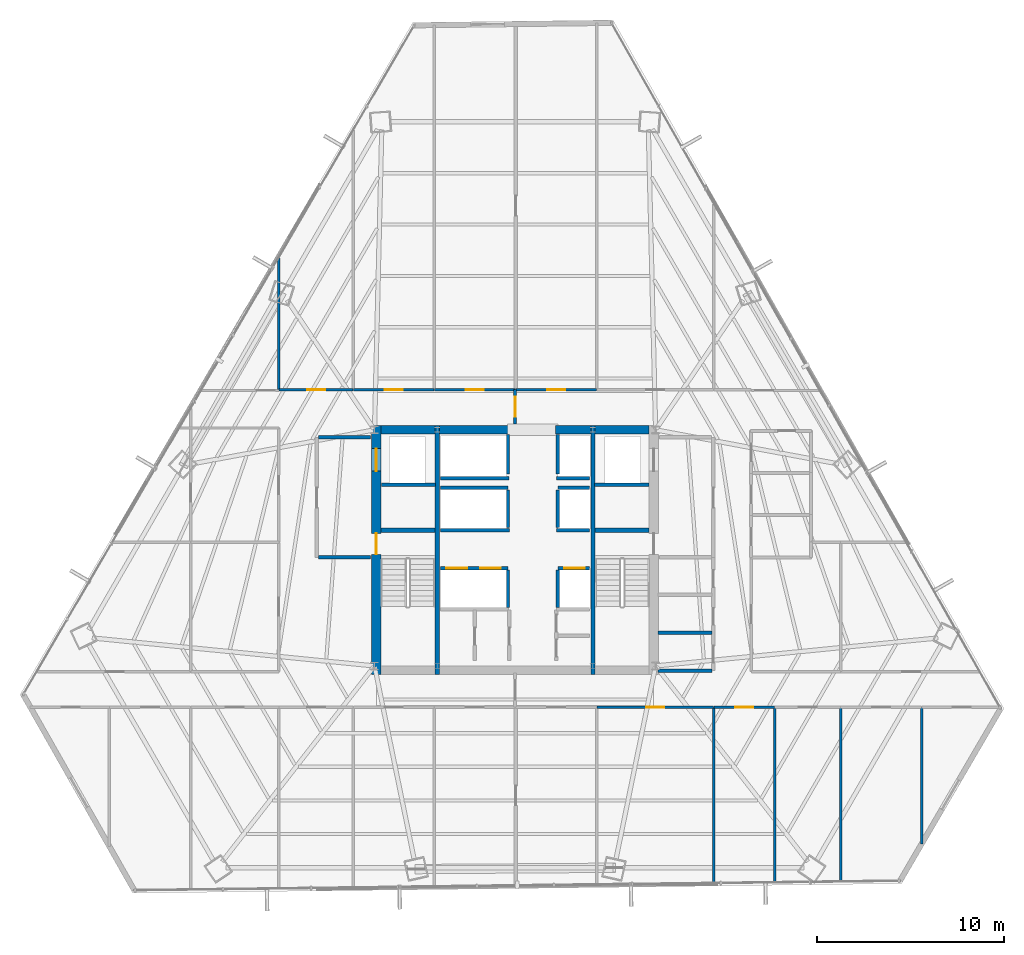
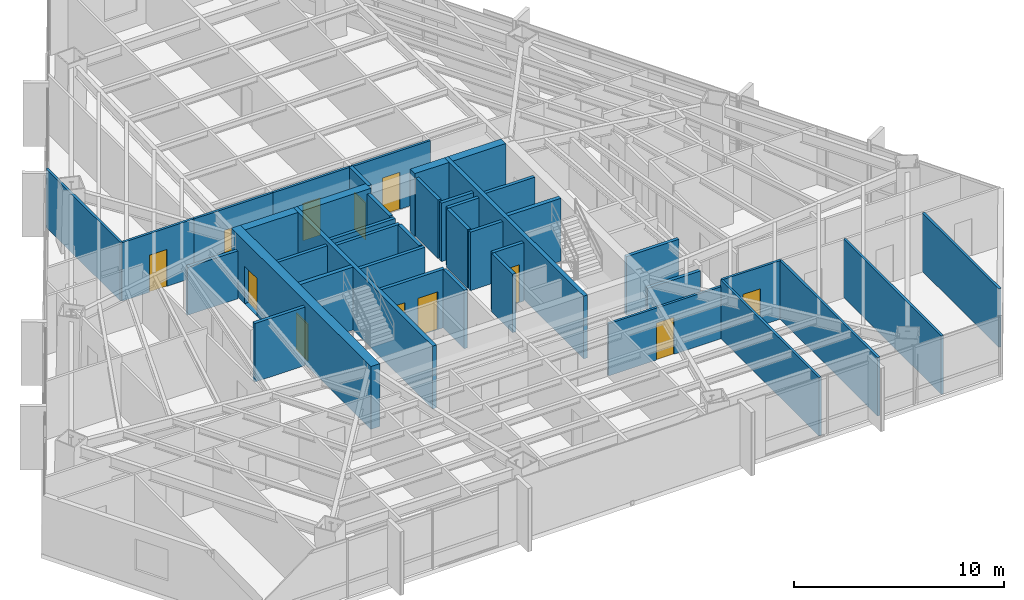
# One storey, part 32 of 37: 41 walls, 12 doors, 12 openings.
"""IFC4 building model written with IfcOpenShell, lengths in metres."""

from ifc_helpers import new_model, si_unit, direction, frame, frame_2d, origin, place, context, subcontext, project, spatial, rectangle, extrude, material, layer, layer_set, type_object, element, fill, save


model = new_model("IFC4")

# Units and contexts
model_context = context("Model", 3, precision=1e-05, world=origin(), true_north=direction((0.0, 1.0)))
body_context = subcontext(model_context, "Body", "Model", "MODEL_VIEW")
ifc_project = project(units=[si_unit("LENGTHUNIT", "METRE"), si_unit("AREAUNIT", "SQUARE_METRE"), si_unit("VOLUMEUNIT", "CUBIC_METRE"), si_unit("PLANEANGLEUNIT", "RADIAN"), si_unit("MASSUNIT", "GRAM", prefix="KILO")], contexts=[model_context])

# Site, building, storey
site_placement = place(None, origin())
site = spatial("IfcSite", under=ifc_project, at=site_placement, CompositionType="ELEMENT")
building_placement = place(site_placement, origin())
building = spatial("IfcBuilding", under=site, at=building_placement, Name="Caelisora Broadcast Tower", CompositionType="ELEMENT")
storey_placement = place(building_placement, frame((0.0, 0.0, 116.35009765625)))
storey = spatial("IfcBuildingStorey", under=building, at=storey_placement, Name="L30", CompositionType="ELEMENT", Elevation=116.35009765625)

# Wall, openings, doors
ifc_material_1 = material(Name="Concrete 50 MPa (AS 3600 S50)", Category="concrete")
ifc_layer_1 = layer(ifc_material_1, 0.5, Name="Concrete 50 MPa (AS 3600 S50)")
ifc_layer_set_1 = layer_set([ifc_layer_1], Name="Concrete 50 MPa (AS 3600 S50)")
wall_type_1 = type_object("IfcWallType", Name="CW2", PredefinedType="SHEAR", material=ifc_layer_set_1)
wall_1_placement = place(storey_placement, frame((30.590087890625, 16.949951171875, 0.0), z_axis=(0.0, 0.0, 1.0), x_axis=(0.0, 1.0, 0.0)))
wall_1 = element("IfcWall", 1, at=wall_1_placement, inside=storey, type_object=wall_type_1, Name="L30 core shear wall CW2", PredefinedType="SHEAR", context=body_context, shape_type="SweptSolid", body=[
    extrude(rectangle(XDim=13.275146484375, YDim=0.5, at=frame_2d((6.6376953125, 0.0))), origin(), (0.0, 0.0, 1.0), 3.64990234375),
])
opening_1_placement = place(wall_1_placement, frame((6.39990234375, 0.0, 0.0)))
opening_1 = element("IfcOpeningElement", 2, at=opening_1_placement, cuts=wall_1, Name="Opening FD04", PredefinedType="OPENING", context=body_context, shape_type="SweptSolid", body=[
    extrude(rectangle(XDim=1.1201171875, YDim=2.14990234375, at=frame_2d((0.56005859375, 1.074951171875))), frame((0.0, 0.261962890625, 0.0), z_axis=(0.0, -1.0, 0.0), x_axis=(1.0, 0.0, 0.0)), (0.0, 0.0, 1.0), 0.52392578125),
])
opening_2_placement = place(wall_1_placement, frame((10.85009765625, 0.0, 0.0)))
opening_2 = element("IfcOpeningElement", 3, at=opening_2_placement, cuts=wall_1, Name="Opening LD04", PredefinedType="OPENING", context=body_context, shape_type="SweptSolid", body=[
    extrude(rectangle(XDim=1.199951171875, YDim=2.199951171875, at=frame_2d((0.60009765625, 1.10009765625))), frame((0.0, 0.261962890625, 0.0), z_axis=(0.0, -1.0, 0.0), x_axis=(1.0, 0.0, 0.0)), (0.0, 0.0, 1.0), 0.52392578125),
])
ifc_material_2 = material(Name="Pressurised Fire-Isolated Stair Door", Category="steel")
door_type_1 = type_object("IfcDoorType", Name="FD04", OperationType="NOTDEFINED", PredefinedType="DOOR", material=ifc_material_2)
door_1_placement = place(opening_1_placement, origin())
door_1 = element("IfcDoor", 4, at=door_1_placement, inside=storey, type_object=door_type_1, Name="L30 door FD04 (L30-DR-ST1)", OperationType="SINGLE_SWING_LEFT", OverallHeight=2.14990234375, OverallWidth=1.1201171875, PredefinedType="DOOR", context=body_context, shape_type="SweptSolid", body=[
    extrude(rectangle(XDim=1.1201171875, YDim=2.14990234375, at=frame_2d((0.56005859375, 1.074951171875))), frame((0.0, 0.02490234375, 0.0), z_axis=(0.0, -1.0, 0.0), x_axis=(1.0, 0.0, 0.0)), (0.0, 0.0, 1.0), 0.050048828125),
])
fill(opening_1, door_1)
ifc_material_3 = material(Name="Emergency Firefighting Lift Sliding Landing Door", Category="steel")
door_type_2 = type_object("IfcDoorType", Name="LD04", OperationType="NOTDEFINED", PredefinedType="DOOR", material=ifc_material_3)
door_2_placement = place(opening_2_placement, origin())
door_2 = element("IfcDoor", 5, at=door_2_placement, inside=storey, type_object=door_type_2, Name="L30 door LD04 (L30-LD-FFL1)", OperationType="SLIDING_TO_LEFT", OverallHeight=2.199951171875, OverallWidth=1.199951171875, PredefinedType="DOOR", context=body_context, shape_type="SweptSolid", body=[
    extrude(rectangle(XDim=1.199951171875, YDim=2.199951171875, at=frame_2d((0.60009765625, 1.10009765625))), frame((0.0, 0.02490234375, 0.0), z_axis=(0.0, -1.0, 0.0), x_axis=(1.0, 0.0, 0.0)), (0.0, 0.0, 1.0), 0.050048828125),
])
fill(opening_2, door_2)

# Walls
ifc_layer_2 = layer(ifc_material_1, 0.449951171875, Name="Concrete 50 MPa (AS 3600 S50)")
ifc_layer_set_2 = layer_set([ifc_layer_2], Name="Concrete 50 MPa (AS 3600 S50)")
wall_type_2 = type_object("IfcWallType", Name="CW5", PredefinedType="SHEAR", material=ifc_layer_set_2)
wall_2_placement = place(storey_placement, frame((30.840087890625, 30.0, 0.0), z_axis=(0.0, 0.0, 1.0), x_axis=(1.0, 0.0, 0.0)))
element("IfcWall", 6, at=wall_2_placement, inside=storey, type_object=wall_type_2, Name="L30 core shear wall CW5", PredefinedType="SHEAR", context=body_context, shape_type="SweptSolid", body=[
    extrude(rectangle(XDim=2.89990234375, YDim=0.449951171875, at=frame_2d((1.449951171875, 0.0))), origin(), (0.0, 0.0, 1.0), 3.64990234375),
])
wall_3_placement = place(storey_placement, frame((33.9599609375, 30.0, 0.0), z_axis=(0.0, 0.0, 1.0), x_axis=(1.0, 0.0, 0.0)))
element("IfcWall", 7, at=wall_3_placement, inside=storey, type_object=wall_type_2, Name="L30 core shear wall CW5", PredefinedType="SHEAR", context=body_context, shape_type="SweptSolid", body=[
    extrude(rectangle(XDim=3.780029296875, YDim=0.449951171875, at=frame_2d((1.89013671875, 0.0))), origin(), (0.0, 0.0, 1.0), 3.64990234375),
])
wall_4_placement = place(storey_placement, frame((40.159912109375, 30.0, 0.0), z_axis=(0.0, 0.0, 1.0), x_axis=(1.0, 0.0, 0.0)))
element("IfcWall", 8, at=wall_4_placement, inside=storey, type_object=wall_type_2, Name="L30 core shear wall CW5", PredefinedType="SHEAR", context=body_context, shape_type="SweptSolid", body=[
    extrude(rectangle(XDim=1.880126953125, YDim=0.449951171875, at=frame_2d((0.93994140625, 0.0))), origin(), (0.0, 0.0, 1.0), 3.64990234375),
])
wall_5_placement = place(storey_placement, frame((42.260009765625, 30.0, 0.0), z_axis=(0.0, 0.0, 1.0), x_axis=(1.0, 0.0, 0.0)))
element("IfcWall", 9, at=wall_5_placement, inside=storey, type_object=wall_type_2, Name="L30 core shear wall CW5", PredefinedType="SHEAR", context=body_context, shape_type="SweptSolid", body=[
    extrude(rectangle(XDim=2.89990234375, YDim=0.449951171875, at=frame_2d((1.449951171875, 0.0))), origin(), (0.0, 0.0, 1.0), 3.64990234375),
])
ifc_layer_3 = layer(ifc_material_1, 0.219970703125, Name="Concrete 50 MPa (AS 3600 S50)")
ifc_layer_set_3 = layer_set([ifc_layer_3], Name="Concrete 50 MPa (AS 3600 S50)")
wall_type_3 = type_object("IfcWallType", Name="CW7", PredefinedType="SHEAR", material=ifc_layer_set_3)
for number, where, z_axis, x_axis, name in (
    (10, (33.85009765625, 16.949951171875, 0.0), (0.0, 0.0, 1.0), (0.0, 1.0, 0.0), "L30 core shear wall CW7"),
    (11, (42.14990234375, 16.949951171875, 0.0), (0.0, 0.0, 1.0), (0.0, 1.0, 0.0), "L30 core shear wall CW7"),
):
    element("IfcWall", number, at=place(storey_placement, frame(where, z_axis=z_axis, x_axis=x_axis)), inside=storey, type_object=wall_type_3, Name=name, PredefinedType="SHEAR", context=body_context, shape_type="SweptSolid", body=[
        extrude(rectangle(XDim=13.275146484375, YDim=0.219970703125, at=frame_2d((6.6376953125, 0.0))), origin(), (0.0, 0.0, 1.0), 3.64990234375),
    ])
for number, where, z_axis, x_axis, name in (
    (12, (30.840087890625, 24.639892578125, 0.0), (0.0, 0.0, 1.0), (1.0, 0.0, 0.0), "L30 core shear wall CW7"),
    (13, (42.260009765625, 24.639892578125, 0.0), (0.0, 0.0, 1.0), (1.0, 0.0, 0.0), "L30 core shear wall CW7"),
):
    element("IfcWall", number, at=place(storey_placement, frame(where, z_axis=z_axis, x_axis=x_axis)), inside=storey, type_object=wall_type_3, Name=name, PredefinedType="SHEAR", context=body_context, shape_type="SweptSolid", body=[
        extrude(rectangle(XDim=2.89990234375, YDim=0.219970703125, at=frame_2d((1.449951171875, 0.0))), origin(), (0.0, 0.0, 1.0), 3.64990234375),
    ])

# Wall, openings, doors
ifc_material_4 = material(Name="Fire-Rated Gypsum Shaft and Compartment Wall", Category="gypsum")
ifc_layer_4 = layer(ifc_material_4, 0.179931640625, Name="Fire-Rated Gypsum Shaft and Compartment Wall")
ifc_layer_set_4 = layer_set([ifc_layer_4], Name="Fire-Rated Gypsum Shaft and Compartment Wall")
wall_type_4 = type_object("IfcWallType", Name="PW2", PredefinedType="PARTITIONING", material=ifc_layer_set_4)
wall_6_placement = place(storey_placement, frame((34.02001953125, 22.6201171875, 0.0), z_axis=(0.0, 0.0, 1.0), x_axis=(1.0, 0.0, 0.0)))
wall_6 = element("IfcWall", 14, at=wall_6_placement, inside=storey, type_object=wall_type_4, Name="L30 fire compartment wall PW2", PredefinedType="PARTITIONING", context=body_context, shape_type="SweptSolid", body=[
    extrude(rectangle(XDim=3.60009765625, YDim=0.179931640625, at=frame_2d((1.800048828125, 0.0))), origin(), (0.0, 0.0, 1.0), 3.39990234375),
])
opening_3_placement = place(wall_6_placement, frame((0.320068359375, 0.0, 0.0)))
opening_3 = element("IfcOpeningElement", 15, at=opening_3_placement, cuts=wall_6, Name="Opening LD01", PredefinedType="OPENING", context=body_context, shape_type="SweptSolid", body=[
    extrude(rectangle(XDim=1.10009765625, YDim=2.199951171875, at=frame_2d((0.550048828125, 1.10009765625))), frame((0.0, 0.10205078125, 0.0), z_axis=(0.0, -1.0, 0.0), x_axis=(1.0, 0.0, 0.0)), (0.0, 0.0, 1.0), 0.203857421875),
])
opening_4_placement = place(wall_6_placement, frame((2.1201171875, 0.0, 0.0)))
opening_4 = element("IfcOpeningElement", 16, at=opening_4_placement, cuts=wall_6, Name="Opening LD01", PredefinedType="OPENING", context=body_context, shape_type="SweptSolid", body=[
    extrude(rectangle(XDim=1.10009765625, YDim=2.199951171875, at=frame_2d((0.550048828125, 1.10009765625))), frame((0.0, 0.10205078125, 0.0), z_axis=(0.0, -1.0, 0.0), x_axis=(1.0, 0.0, 0.0)), (0.0, 0.0, 1.0), 0.203857421875),
])
ifc_material_5 = material(Name="Stainless Steel Centre-Parting Lift Landing Door", Category="steel")
door_type_3 = type_object("IfcDoorType", Name="LD01", OperationType="NOTDEFINED", PredefinedType="DOOR", material=ifc_material_5)
door_3_placement = place(opening_3_placement, origin())
door_3 = element("IfcDoor", 17, at=door_3_placement, inside=storey, type_object=door_type_3, Name="L30 door LD01 (L30-LD-PLL1)", OperationType="SLIDING_TO_LEFT", OverallHeight=2.199951171875, OverallWidth=1.10009765625, PredefinedType="DOOR", context=body_context, shape_type="SweptSolid", body=[
    extrude(rectangle(XDim=1.10009765625, YDim=2.199951171875, at=frame_2d((0.550048828125, 1.10009765625))), frame((0.0, 0.02490234375, 0.0), z_axis=(0.0, -1.0, 0.0), x_axis=(1.0, 0.0, 0.0)), (0.0, 0.0, 1.0), 0.050048828125),
])
fill(opening_3, door_3)
door_4_placement = place(opening_4_placement, origin())
door_4 = element("IfcDoor", 18, at=door_4_placement, inside=storey, type_object=door_type_3, Name="L30 door LD01 (L30-LD-PLL2)", OperationType="SLIDING_TO_RIGHT", OverallHeight=2.199951171875, OverallWidth=1.10009765625, PredefinedType="DOOR", context=body_context, shape_type="SweptSolid", body=[
    extrude(rectangle(XDim=1.10009765625, YDim=2.199951171875, at=frame_2d((0.550048828125, 1.10009765625))), frame((0.0, 0.02490234375, 0.0), z_axis=(0.0, -1.0, 0.0), x_axis=(1.0, 0.0, 0.0)), (0.0, 0.0, 1.0), 0.050048828125),
])
fill(opening_4, door_4)

# Wall, opening, door
wall_7_placement = place(storey_placement, frame((40.280029296875, 22.6201171875, 0.0), z_axis=(0.0, 0.0, 1.0), x_axis=(1.0, 0.0, 0.0)))
wall_7 = element("IfcWall", 19, at=wall_7_placement, inside=storey, type_object=wall_type_4, Name="L30 fire compartment wall PW2", PredefinedType="PARTITIONING", context=body_context, shape_type="SweptSolid", body=[
    extrude(rectangle(XDim=1.699951171875, YDim=0.179931640625, at=frame_2d((0.85009765625, 0.0))), origin(), (0.0, 0.0, 1.0), 3.39990234375),
])
opening_5_placement = place(wall_7_placement, frame((0.35009765625, 0.0, 0.0)))
opening_5 = element("IfcOpeningElement", 20, at=opening_5_placement, cuts=wall_7, Name="Opening LD01", PredefinedType="OPENING", context=body_context, shape_type="SweptSolid", body=[
    extrude(rectangle(XDim=1.10009765625, YDim=2.199951171875, at=frame_2d((0.550048828125, 1.10009765625))), frame((0.0, 0.10205078125, 0.0), z_axis=(0.0, -1.0, 0.0), x_axis=(1.0, 0.0, 0.0)), (0.0, 0.0, 1.0), 0.203857421875),
])
door_5_placement = place(opening_5_placement, origin())
door_5 = element("IfcDoor", 21, at=door_5_placement, inside=storey, type_object=door_type_3, Name="L30 door LD01 (L30-LD-PLL3)", OperationType="SLIDING_TO_LEFT", OverallHeight=2.199951171875, OverallWidth=1.10009765625, PredefinedType="DOOR", context=body_context, shape_type="SweptSolid", body=[
    extrude(rectangle(XDim=1.10009765625, YDim=2.199951171875, at=frame_2d((0.550048828125, 1.10009765625))), frame((0.0, 0.02490234375, 0.0), z_axis=(0.0, -1.0, 0.0), x_axis=(1.0, 0.0, 0.0)), (0.0, 0.0, 1.0), 0.050048828125),
])
fill(opening_5, door_5)

# Walls
for number, where, z_axis, x_axis, name in (
    (22, (37.6201171875, 20.52001953125, 0.0), (0.0, 0.0, 1.0), (0.0, 1.0, 0.0), "L30 fire compartment wall PW2"),
    (23, (40.280029296875, 20.52001953125, 0.0), (0.0, 0.0, 1.0), (0.0, 1.0, 0.0), "L30 fire compartment wall PW2"),
):
    element("IfcWall", number, at=place(storey_placement, frame(where, z_axis=z_axis, x_axis=x_axis)), inside=storey, type_object=wall_type_4, Name=name, PredefinedType="PARTITIONING", context=body_context, shape_type="SweptSolid", body=[
        extrude(rectangle(XDim=2.0, YDim=0.179931640625, at=frame_2d((1.0, 0.0))), origin(), (0.0, 0.0, 1.0), 3.39990234375),
    ])
wall_8_placement = place(storey_placement, frame((34.02001953125, 26.89990234375, 0.0), z_axis=(0.0, 0.0, 1.0), x_axis=(1.0, 0.0, 0.0)))
element("IfcWall", 24, at=wall_8_placement, inside=storey, type_object=wall_type_4, Name="L30 fire compartment wall PW2", PredefinedType="PARTITIONING", context=body_context, shape_type="SweptSolid", body=[
    extrude(rectangle(XDim=3.60009765625, YDim=0.179931640625, at=frame_2d((1.800048828125, 0.0))), origin(), (0.0, 0.0, 1.0), 3.39990234375),
])
wall_9_placement = place(storey_placement, frame((40.280029296875, 26.89990234375, 0.0), z_axis=(0.0, 0.0, 1.0), x_axis=(1.0, 0.0, 0.0)))
element("IfcWall", 25, at=wall_9_placement, inside=storey, type_object=wall_type_4, Name="L30 fire compartment wall PW2", PredefinedType="PARTITIONING", context=body_context, shape_type="SweptSolid", body=[
    extrude(rectangle(XDim=1.699951171875, YDim=0.179931640625, at=frame_2d((0.85009765625, 0.0))), origin(), (0.0, 0.0, 1.0), 3.39990234375),
])
for number, where, z_axis, x_axis, name in (
    (26, (37.6201171875, 24.800048828125, 0.0), (0.0, 0.0, 1.0), (0.0, 1.0, 0.0), "L30 fire compartment wall PW2"),
    (27, (40.280029296875, 24.800048828125, 0.0), (0.0, 0.0, 1.0), (0.0, 1.0, 0.0), "L30 fire compartment wall PW2"),
):
    element("IfcWall", number, at=place(storey_placement, frame(where, z_axis=z_axis, x_axis=x_axis)), inside=storey, type_object=wall_type_4, Name=name, PredefinedType="PARTITIONING", context=body_context, shape_type="SweptSolid", body=[
        extrude(rectangle(XDim=2.0, YDim=0.179931640625, at=frame_2d((1.0, 0.0))), origin(), (0.0, 0.0, 1.0), 3.39990234375),
    ])
wall_10_placement = place(storey_placement, frame((34.02001953125, 24.639892578125, 0.0), z_axis=(0.0, 0.0, 1.0), x_axis=(1.0, 0.0, 0.0)))
element("IfcWall", 28, at=wall_10_placement, inside=storey, type_object=wall_type_4, Name="L30 fire compartment wall PW2", PredefinedType="PARTITIONING", context=body_context, shape_type="SweptSolid", body=[
    extrude(rectangle(XDim=3.679931640625, YDim=0.179931640625, at=frame_2d((1.83984375, 0.0))), origin(), (0.0, 0.0, 1.0), 3.39990234375),
])
wall_11_placement = place(storey_placement, frame((40.199951171875, 24.639892578125, 0.0), z_axis=(0.0, 0.0, 1.0), x_axis=(1.0, 0.0, 0.0)))
element("IfcWall", 29, at=wall_11_placement, inside=storey, type_object=wall_type_4, Name="L30 fire compartment wall PW2", PredefinedType="PARTITIONING", context=body_context, shape_type="SweptSolid", body=[
    extrude(rectangle(XDim=1.780029296875, YDim=0.179931640625, at=frame_2d((0.89013671875, 0.0))), origin(), (0.0, 0.0, 1.0), 3.39990234375),
])
wall_12_placement = place(storey_placement, frame((34.02001953125, 27.419921875, 0.0), z_axis=(0.0, 0.0, 1.0), x_axis=(1.0, 0.0, 0.0)))
element("IfcWall", 30, at=wall_12_placement, inside=storey, type_object=wall_type_4, Name="L30 fire compartment wall PW2", PredefinedType="PARTITIONING", context=body_context, shape_type="SweptSolid", body=[
    extrude(rectangle(XDim=3.659912109375, YDim=0.179931640625, at=frame_2d((1.830078125, 0.0))), origin(), (0.0, 0.0, 1.0), 3.39990234375),
])
wall_13_placement = place(storey_placement, frame((40.219970703125, 27.419921875, 0.0), z_axis=(0.0, 0.0, 1.0), x_axis=(1.0, 0.0, 0.0)))
element("IfcWall", 31, at=wall_13_placement, inside=storey, type_object=wall_type_4, Name="L30 fire compartment wall PW2", PredefinedType="PARTITIONING", context=body_context, shape_type="SweptSolid", body=[
    extrude(rectangle(XDim=1.760009765625, YDim=0.179931640625, at=frame_2d((0.8798828125, 0.0))), origin(), (0.0, 0.0, 1.0), 3.39990234375),
])
for number, where, z_axis, x_axis, name in (
    (32, (37.6201171875, 27.639892578125, 0.0), (0.0, 0.0, 1.0), (0.0, 1.0, 0.0), "L30 fire compartment wall PW2"),
    (33, (40.280029296875, 27.639892578125, 0.0), (0.0, 0.0, 1.0), (0.0, 1.0, 0.0), "L30 fire compartment wall PW2"),
):
    element("IfcWall", number, at=place(storey_placement, frame(where, z_axis=z_axis, x_axis=x_axis)), inside=storey, type_object=wall_type_4, Name=name, PredefinedType="PARTITIONING", context=body_context, shape_type="SweptSolid", body=[
        extrude(rectangle(XDim=2.110107421875, YDim=0.179931640625, at=frame_2d((1.05517578125, 0.0))), origin(), (0.0, 0.0, 1.0), 3.39990234375),
    ])
wall_14_placement = place(storey_placement, frame((27.52001953125, 23.199951171875, 0.0), z_axis=(0.0, 0.0, 1.0), x_axis=(1.0, 0.0, 0.0)))
element("IfcWall", 34, at=wall_14_placement, inside=storey, type_object=wall_type_4, Name="L30 fire compartment wall PW2", PredefinedType="PARTITIONING", context=body_context, shape_type="SweptSolid", body=[
    extrude(rectangle(XDim=2.760009765625, YDim=0.179931640625, at=frame_2d((1.3798828125, 0.0))), origin(), (0.0, 0.0, 1.0), 3.39990234375),
])
wall_15_placement = place(storey_placement, frame((27.52001953125, 29.60009765625, 0.0), z_axis=(0.0, 0.0, 1.0), x_axis=(1.0, 0.0, 0.0)))
element("IfcWall", 35, at=wall_15_placement, inside=storey, type_object=wall_type_4, Name="L30 fire compartment wall PW2", PredefinedType="PARTITIONING", context=body_context, shape_type="SweptSolid", body=[
    extrude(rectangle(XDim=2.760009765625, YDim=0.179931640625, at=frame_2d((1.3798828125, 0.0))), origin(), (0.0, 0.0, 1.0), 2.78271484375),
])
for number, where, z_axis, x_axis, name in (
    (36, (30.860107421875, 27.070068359375, 0.0), (0.0, 0.0, 1.0), (1.0, 0.0, 0.0), "L30 fire compartment wall PW2"),
    (37, (42.239990234375, 27.070068359375, 0.0), (0.0, 0.0, 1.0), (1.0, 0.0, 0.0), "L30 fire compartment wall PW2"),
    (38, (45.6201171875, 19.169921875, 0.0), (0.0, 0.0, 1.0), (1.0, 0.0, 0.0), "L30 fire compartment wall PW2"),
):
    element("IfcWall", number, at=place(storey_placement, frame(where, z_axis=z_axis, x_axis=x_axis)), inside=storey, type_object=wall_type_4, Name=name, PredefinedType="PARTITIONING", context=body_context, shape_type="SweptSolid", body=[
        extrude(rectangle(XDim=2.89990234375, YDim=0.179931640625, at=frame_2d((1.449951171875, 0.0))), origin(), (0.0, 0.0, 1.0), 3.39990234375),
    ])
wall_16_placement = place(storey_placement, frame((45.6201171875, 17.14990234375, 0.0), z_axis=(0.0, 0.0, 1.0), x_axis=(1.0, 0.0, 0.0)))
element("IfcWall", 39, at=wall_16_placement, inside=storey, type_object=wall_type_4, Name="L30 fire compartment wall PW2", PredefinedType="PARTITIONING", context=body_context, shape_type="SweptSolid", body=[
    extrude(rectangle(XDim=2.89990234375, YDim=0.179931640625, at=frame_2d((1.449951171875, 0.0))), origin(), (0.0, 0.0, 1.0), 2.78271484375),
])

# Wall, opening, door
wall_17_placement = place(storey_placement, frame((38.0, 30.320068359375, 0.0), z_axis=(0.0, 0.0, 1.0), x_axis=(0.0, 1.0, 0.0)))
wall_17 = element("IfcWall", 40, at=wall_17_placement, inside=storey, type_object=wall_type_4, Name="L30 fire compartment wall PW2", PredefinedType="PARTITIONING", context=body_context, shape_type="SweptSolid", body=[
    extrude(rectangle(XDim=1.824951171875, YDim=0.179931640625, at=frame_2d((0.91259765625, 0.0))), origin(), (0.0, 0.0, 1.0), 3.39990234375),
])
opening_6_placement = place(wall_17_placement, frame((0.387939453125, 0.0, 0.0)))
opening_6 = element("IfcOpeningElement", 41, at=opening_6_placement, cuts=wall_17, Name="Opening FD02", PredefinedType="OPENING", context=body_context, shape_type="SweptSolid", body=[
    extrude(rectangle(XDim=1.050048828125, YDim=2.14990234375, at=frame_2d((0.52490234375, 1.074951171875))), frame((0.0, 0.10205078125, 0.0), z_axis=(0.0, -1.0, 0.0), x_axis=(1.0, 0.0, 0.0)), (0.0, 0.0, 1.0), 0.203857421875),
])
ifc_material_6 = material(Name="Single-Leaf Steel Fire Lobby Door", Category="steel")
door_type_4 = type_object("IfcDoorType", Name="FD02", OperationType="NOTDEFINED", PredefinedType="DOOR", material=ifc_material_6)
door_6_placement = place(opening_6_placement, origin())
door_6 = element("IfcDoor", 42, at=door_6_placement, inside=storey, type_object=door_type_4, Name="L30 door FD02 (L30-DR-P84D1)", OperationType="SINGLE_SWING_RIGHT", OverallHeight=2.14990234375, OverallWidth=1.050048828125, PredefinedType="DOOR", context=body_context, shape_type="SweptSolid", body=[
    extrude(rectangle(XDim=1.050048828125, YDim=2.14990234375, at=frame_2d((0.52490234375, 1.074951171875))), frame((0.0, 0.02490234375, 0.0), z_axis=(0.0, -1.0, 0.0), x_axis=(1.0, 0.0, 0.0)), (0.0, 0.0, 1.0), 0.050048828125),
])
fill(opening_6, door_6)

# Walls
ifc_material_7 = material(Name="Acoustic Steel-Stud Plasterboard Partition", Category="gypsum")
ifc_layer_5 = layer(ifc_material_7, 0.1298828125, Name="Acoustic Steel-Stud Plasterboard Partition")
ifc_layer_set_5 = layer_set([ifc_layer_5], Name="Acoustic Steel-Stud Plasterboard Partition")
wall_type_5 = type_object("IfcWallType", Name="PW3", PredefinedType="PARTITIONING", material=ifc_layer_set_5)
wall_18_placement = place(storey_placement, frame((48.60009765625, 5.802734375, 0.0), z_axis=(0.0, 0.0, 1.0), x_axis=(0.0, 1.0, 0.0)))
element("IfcWall", 43, at=wall_18_placement, inside=storey, type_object=wall_type_5, Name="L30 internal partition PW3", PredefinedType="PARTITIONING", context=body_context, shape_type="SweptSolid", body=[
    extrude(rectangle(XDim=9.392333984375, YDim=0.1298828125, at=frame_2d((4.6962890625, 0.0))), origin(), (0.0, 0.0, 1.0), 3.39990234375),
])
wall_19_placement = place(storey_placement, frame((51.85009765625, 5.843017578125, 0.0), z_axis=(0.0, 0.0, 1.0), x_axis=(0.0, 1.0, 0.0)))
element("IfcWall", 44, at=wall_19_placement, inside=storey, type_object=wall_type_5, Name="L30 internal partition PW3", PredefinedType="PARTITIONING", context=body_context, shape_type="SweptSolid", body=[
    extrude(rectangle(XDim=9.35205078125, YDim=0.1298828125, at=frame_2d((4.676025390625, 0.0))), origin(), (0.0, 0.0, 1.0), 3.39990234375),
])
wall_20_placement = place(storey_placement, frame((55.3701171875, 5.88671875, 0.0), z_axis=(0.0, 0.0, 1.0), x_axis=(0.0, 1.0, 0.0)))
element("IfcWall", 45, at=wall_20_placement, inside=storey, type_object=wall_type_5, Name="L30 internal partition PW3", PredefinedType="PARTITIONING", context=body_context, shape_type="SweptSolid", body=[
    extrude(rectangle(XDim=9.308349609375, YDim=0.1298828125, at=frame_2d((4.654296875, 0.0))), origin(), (0.0, 0.0, 1.0), 3.39990234375),
])
wall_21_placement = place(storey_placement, frame((59.699951171875, 7.89599609375, 0.0), z_axis=(0.0, 0.0, 1.0), x_axis=(0.0, 1.0, 0.0)))
element("IfcWall", 46, at=wall_21_placement, inside=storey, type_object=wall_type_5, Name="L30 internal partition PW3", PredefinedType="PARTITIONING", context=body_context, shape_type="SweptSolid", body=[
    extrude(rectangle(XDim=7.299072265625, YDim=0.1298828125, at=frame_2d((3.6494140625, 0.0))), origin(), (0.0, 0.0, 1.0), 3.39990234375),
])
wall_22_placement = place(storey_placement, frame((25.39990234375, 32.155029296875, 0.0), z_axis=(0.0, 0.0, 1.0), x_axis=(0.0, 1.0, 0.0)))
element("IfcWall", 47, at=wall_22_placement, inside=storey, type_object=wall_type_5, Name="L30 internal partition PW3", PredefinedType="PARTITIONING", context=body_context, shape_type="SweptSolid", body=[
    extrude(rectangle(XDim=7.07861328125, YDim=0.1298828125, at=frame_2d((3.539306640625, 0.0))), origin(), (0.0, 0.0, 1.0), 3.39990234375),
])

# Wall, opening, door
wall_23_placement = place(storey_placement, frame((42.364990234375, 15.199951171875, 0.0), z_axis=(0.0, 0.0, 1.0), x_axis=(1.0, 0.0, 0.0)))
wall_23 = element("IfcWall", 48, at=wall_23_placement, inside=storey, type_object=wall_type_5, Name="L30 internal partition PW3", PredefinedType="PARTITIONING", context=body_context, shape_type="SweptSolid", body=[
    extrude(rectangle(XDim=6.22998046875, YDim=0.1298828125, at=frame_2d((3.114990234375, 0.0))), origin(), (0.0, 0.0, 1.0), 3.0263671875),
])
opening_7_placement = place(wall_23_placement, frame((2.635009765625, 0.0, 0.0)))
opening_7 = element("IfcOpeningElement", 49, at=opening_7_placement, cuts=wall_23, Name="Opening D01", PredefinedType="OPENING", context=body_context, shape_type="SweptSolid", body=[
    extrude(rectangle(XDim=0.9599609375, YDim=2.14990234375, at=frame_2d((0.47998046875, 1.074951171875))), frame((0.0, 0.076904296875, 0.0), z_axis=(0.0, -1.0, 0.0), x_axis=(1.0, 0.0, 0.0)), (0.0, 0.0, 1.0), 0.15380859375),
])
ifc_material_8 = material(Name="Solid-Core Timber Acoustic Office Door", Category="wood")
door_type_5 = type_object("IfcDoorType", Name="D01", OperationType="NOTDEFINED", PredefinedType="DOOR", material=ifc_material_8)
door_7_placement = place(opening_7_placement, origin())
door_7 = element("IfcDoor", 50, at=door_7_placement, inside=storey, type_object=door_type_5, Name="L30 door D01 (L30-DR-P54D1)", OperationType="SINGLE_SWING_RIGHT", OverallHeight=2.14990234375, OverallWidth=0.9599609375, PredefinedType="DOOR", context=body_context, shape_type="SweptSolid", body=[
    extrude(rectangle(XDim=0.9599609375, YDim=2.14990234375, at=frame_2d((0.47998046875, 1.074951171875))), frame((0.0, 0.02490234375, 0.0), z_axis=(0.0, -1.0, 0.0), x_axis=(1.0, 0.0, 0.0)), (0.0, 0.0, 1.0), 0.050048828125),
])
fill(opening_7, door_7)

wall_24_placement = place(storey_placement, frame((29.364990234375, 32.14990234375, 0.0), z_axis=(0.0, 0.0, 1.0), x_axis=(1.0, 0.0, 0.0)))
wall_24 = element("IfcWall", 51, at=wall_24_placement, inside=storey, type_object=wall_type_5, Name="L30 internal partition PW3", PredefinedType="PARTITIONING", context=body_context, shape_type="SweptSolid", body=[
    extrude(rectangle(XDim=4.320068359375, YDim=0.1298828125, at=frame_2d((2.16015625, 0.0))), origin(), (0.0, 0.0, 1.0), 3.39990234375),
])
opening_8_placement = place(wall_24_placement, frame((1.679931640625, 0.0, 0.0)))
opening_8 = element("IfcOpeningElement", 52, at=opening_8_placement, cuts=wall_24, Name="Opening D01", PredefinedType="OPENING", context=body_context, shape_type="SweptSolid", body=[
    extrude(rectangle(XDim=0.9599609375, YDim=2.14990234375, at=frame_2d((0.47998046875, 1.074951171875))), frame((0.0, 0.076904296875, 0.0), z_axis=(0.0, -1.0, 0.0), x_axis=(1.0, 0.0, 0.0)), (0.0, 0.0, 1.0), 0.15380859375),
])
door_8_placement = place(opening_8_placement, origin())
door_8 = element("IfcDoor", 53, at=door_8_placement, inside=storey, type_object=door_type_5, Name="L30 door D01 (L30-DR-P66D1)", OperationType="SINGLE_SWING_RIGHT", OverallHeight=2.14990234375, OverallWidth=0.9599609375, PredefinedType="DOOR", context=body_context, shape_type="SweptSolid", body=[
    extrude(rectangle(XDim=0.9599609375, YDim=2.14990234375, at=frame_2d((0.47998046875, 1.074951171875))), frame((0.0, 0.02490234375, 0.0), z_axis=(0.0, -1.0, 0.0), x_axis=(1.0, 0.0, 0.0)), (0.0, 0.0, 1.0), 0.050048828125),
])
fill(opening_8, door_8)

wall_25_placement = place(storey_placement, frame((38.034912109375, 32.14990234375, 0.0), z_axis=(0.0, 0.0, 1.0), x_axis=(1.0, 0.0, 0.0)))
wall_25 = element("IfcWall", 54, at=wall_25_placement, inside=storey, type_object=wall_type_5, Name="L30 internal partition PW3", PredefinedType="PARTITIONING", context=body_context, shape_type="SweptSolid", body=[
    extrude(rectangle(XDim=4.320068359375, YDim=0.1298828125, at=frame_2d((2.16015625, 0.0))), origin(), (0.0, 0.0, 1.0), 3.39990234375),
])
opening_9_placement = place(wall_25_placement, frame((1.679931640625, 0.0, 0.0)))
opening_9 = element("IfcOpeningElement", 55, at=opening_9_placement, cuts=wall_25, Name="Opening D01", PredefinedType="OPENING", context=body_context, shape_type="SweptSolid", body=[
    extrude(rectangle(XDim=0.9599609375, YDim=2.14990234375, at=frame_2d((0.47998046875, 1.074951171875))), frame((0.0, 0.076904296875, 0.0), z_axis=(0.0, -1.0, 0.0), x_axis=(1.0, 0.0, 0.0)), (0.0, 0.0, 1.0), 0.15380859375),
])
door_9_placement = place(opening_9_placement, origin())
door_9 = element("IfcDoor", 56, at=door_9_placement, inside=storey, type_object=door_type_5, Name="L30 door D01 (L30-DR-P68D1)", OperationType="SINGLE_SWING_RIGHT", OverallHeight=2.14990234375, OverallWidth=0.9599609375, PredefinedType="DOOR", context=body_context, shape_type="SweptSolid", body=[
    extrude(rectangle(XDim=0.9599609375, YDim=2.14990234375, at=frame_2d((0.47998046875, 1.074951171875))), frame((0.0, 0.02490234375, 0.0), z_axis=(0.0, -1.0, 0.0), x_axis=(1.0, 0.0, 0.0)), (0.0, 0.0, 1.0), 0.050048828125),
])
fill(opening_9, door_9)

wall_26_placement = place(storey_placement, frame((33.695068359375, 32.14990234375, 0.0), z_axis=(0.0, 0.0, 1.0), x_axis=(1.0, 0.0, 0.0)))
wall_26 = element("IfcWall", 57, at=wall_26_placement, inside=storey, type_object=wall_type_5, Name="L30 internal partition PW3", PredefinedType="PARTITIONING", context=body_context, shape_type="SweptSolid", body=[
    extrude(rectangle(XDim=4.300048828125, YDim=0.1298828125, at=frame_2d((2.14990234375, 0.0))), origin(), (0.0, 0.0, 1.0), 3.39990234375),
])
opening_10_placement = place(wall_26_placement, frame((1.669921875, 0.0, 0.0)))
opening_10 = element("IfcOpeningElement", 58, at=opening_10_placement, cuts=wall_26, Name="Opening D01", PredefinedType="OPENING", context=body_context, shape_type="SweptSolid", body=[
    extrude(rectangle(XDim=0.9599609375, YDim=2.14990234375, at=frame_2d((0.47998046875, 1.074951171875))), frame((0.0, 0.076904296875, 0.0), z_axis=(0.0, -1.0, 0.0), x_axis=(1.0, 0.0, 0.0)), (0.0, 0.0, 1.0), 0.15380859375),
])
door_10_placement = place(opening_10_placement, origin())
door_10 = element("IfcDoor", 59, at=door_10_placement, inside=storey, type_object=door_type_5, Name="L30 door D01 (L30-DR-P70D1)", OperationType="SINGLE_SWING_RIGHT", OverallHeight=2.14990234375, OverallWidth=0.9599609375, PredefinedType="DOOR", context=body_context, shape_type="SweptSolid", body=[
    extrude(rectangle(XDim=0.9599609375, YDim=2.14990234375, at=frame_2d((0.47998046875, 1.074951171875))), frame((0.0, 0.02490234375, 0.0), z_axis=(0.0, -1.0, 0.0), x_axis=(1.0, 0.0, 0.0)), (0.0, 0.0, 1.0), 0.050048828125),
])
fill(opening_10, door_10)

wall_27_placement = place(storey_placement, frame((25.405029296875, 32.14990234375, 0.0), z_axis=(0.0, 0.0, 1.0), x_axis=(1.0, 0.0, 0.0)))
wall_27 = element("IfcWall", 60, at=wall_27_placement, inside=storey, type_object=wall_type_5, Name="L30 internal partition PW3", PredefinedType="PARTITIONING", context=body_context, shape_type="SweptSolid", body=[
    extrude(rectangle(XDim=3.949951171875, YDim=0.1298828125, at=frame_2d((1.97509765625, 0.0))), origin(), (0.0, 0.0, 1.0), 3.39990234375),
])
opening_11_placement = place(wall_27_placement, frame((1.4951171875, 0.0, 0.0)))
opening_11 = element("IfcOpeningElement", 61, at=opening_11_placement, cuts=wall_27, Name="Opening D01", PredefinedType="OPENING", context=body_context, shape_type="SweptSolid", body=[
    extrude(rectangle(XDim=0.9599609375, YDim=2.14990234375, at=frame_2d((0.47998046875, 1.074951171875))), frame((0.0, 0.076904296875, 0.0), z_axis=(0.0, -1.0, 0.0), x_axis=(1.0, 0.0, 0.0)), (0.0, 0.0, 1.0), 0.15380859375),
])
door_11_placement = place(opening_11_placement, origin())
door_11 = element("IfcDoor", 62, at=door_11_placement, inside=storey, type_object=door_type_5, Name="L30 door D01 (L30-DR-P75D1)", OperationType="SINGLE_SWING_RIGHT", OverallHeight=2.14990234375, OverallWidth=0.9599609375, PredefinedType="DOOR", context=body_context, shape_type="SweptSolid", body=[
    extrude(rectangle(XDim=0.9599609375, YDim=2.14990234375, at=frame_2d((0.47998046875, 1.074951171875))), frame((0.0, 0.02490234375, 0.0), z_axis=(0.0, -1.0, 0.0), x_axis=(1.0, 0.0, 0.0)), (0.0, 0.0, 1.0), 0.050048828125),
])
fill(opening_11, door_11)

wall_28_placement = place(storey_placement, frame((48.60498046875, 15.199951171875, 0.0), z_axis=(0.0, 0.0, 1.0), x_axis=(1.0, 0.0, 0.0)))
wall_28 = element("IfcWall", 63, at=wall_28_placement, inside=storey, type_object=wall_type_5, Name="L30 internal partition PW3", PredefinedType="PARTITIONING", context=body_context, shape_type="SweptSolid", body=[
    extrude(rectangle(XDim=3.239990234375, YDim=0.1298828125, at=frame_2d((1.6201171875, 0.0))), origin(), (0.0, 0.0, 1.0), 3.39990234375),
])
opening_12_placement = place(wall_28_placement, frame((1.139892578125, 0.0, 0.0)))
opening_12 = element("IfcOpeningElement", 64, at=opening_12_placement, cuts=wall_28, Name="Opening D01", PredefinedType="OPENING", context=body_context, shape_type="SweptSolid", body=[
    extrude(rectangle(XDim=0.9599609375, YDim=2.14990234375, at=frame_2d((0.47998046875, 1.074951171875))), frame((0.0, 0.076904296875, 0.0), z_axis=(0.0, -1.0, 0.0), x_axis=(1.0, 0.0, 0.0)), (0.0, 0.0, 1.0), 0.15380859375),
])
door_12_placement = place(opening_12_placement, origin())
door_12 = element("IfcDoor", 65, at=door_12_placement, inside=storey, type_object=door_type_5, Name="L30 door D01 (L30-DR-P81D1)", OperationType="SINGLE_SWING_RIGHT", OverallHeight=2.14990234375, OverallWidth=0.9599609375, PredefinedType="DOOR", context=body_context, shape_type="SweptSolid", body=[
    extrude(rectangle(XDim=0.9599609375, YDim=2.14990234375, at=frame_2d((0.47998046875, 1.074951171875))), frame((0.0, 0.02490234375, 0.0), z_axis=(0.0, -1.0, 0.0), x_axis=(1.0, 0.0, 0.0)), (0.0, 0.0, 1.0), 0.050048828125),
])
fill(opening_12, door_12)

save(model, "model.ifc")
